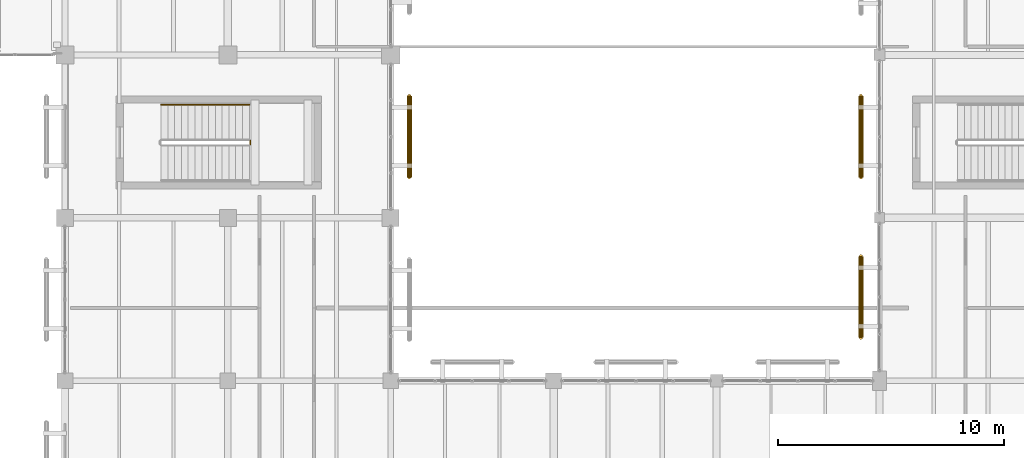
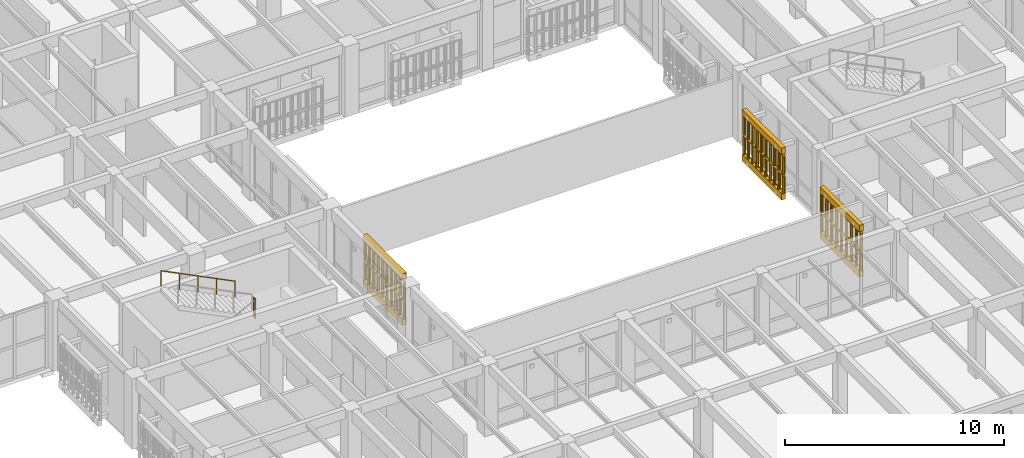
# One storey, part 167 of 170: 8 railings, 6 coverings.
"""IFC4 building model written with IfcOpenShell, lengths in metres."""

import ifcopenshell
import ifcopenshell.guid

model = None  # the IFC model being written
_history = None  # IfcOwnerHistory: only IFC2X3 demands one
_inside = {}  # id of a spatial element -> (the spatial element, [elements in it])
_under = {}  # id of a project, library or spatial element -> (it, [spatial elements below it])
_declared = {}  # id of a project -> (the project, [libraries it declares])
_typed = {}  # id of a type object -> (the type object, [elements of that type])
_made_of = {}  # id of a material, layer set ... -> (it, [elements and type objects made of it])


def new_model(schema):
    """Start an empty IFC model of exactly this schema.

    Asked for "IFC4X3", IfcOpenShell would pick the latest addendum, in which some entities
    have other attributes; the version numbers below select the first issue.
    IFC2X3 requires an IfcOwnerHistory on every rooted entity: one is made here for all.
    """
    global model, _history
    if schema == "IFC4X3":
        model = ifcopenshell.file(schema_version=(4, 3, 0, 0))
    else:
        model = ifcopenshell.file(schema=schema)
    _inside.clear()
    _under.clear()
    _declared.clear()
    _typed.clear()
    _made_of.clear()
    _history = None
    if model.schema == "IFC2X3":
        org = make("IfcOrganization", Name="unknown")
        user = make(
            "IfcPersonAndOrganization",
            ThePerson=make("IfcPerson", FamilyName="unknown"),
            TheOrganization=org,
        )
        app = make(
            "IfcApplication",
            ApplicationDeveloper=org,
            Version="unknown",
            ApplicationFullName="unknown",
            ApplicationIdentifier="unknown",
        )
        _history = make(
            "IfcOwnerHistory",
            OwningUser=user,
            OwningApplication=app,
            ChangeAction="ADDED",
            CreationDate=0,
        )
    return model


def make(cls, **values):
    """One entity of the class cls with the attributes given. An attribute that is None is left unset."""
    return model.create_entity(
        cls, **{name: value for name, value in values.items() if value is not None}
    )


def rooted(cls, **values):
    """An entity with a GlobalId (a new one), such as an element, a storey or a relation."""
    return make(cls, GlobalId=ifcopenshell.guid.new(), OwnerHistory=_history, **values)


def si_unit(unit_type, name, prefix=None):
    """IfcSIUnit, for example si_unit("LENGTHUNIT", "METRE", prefix="MILLI")."""
    return make("IfcSIUnit", UnitType=unit_type, Prefix=prefix, Name=name)


def assignment(units):
    """IfcUnitAssignment: the units of a project."""
    return None if units is None else make("IfcUnitAssignment", Units=units)


def point(xyz):
    """IfcCartesianPoint."""
    return None if xyz is None else make("IfcCartesianPoint", Coordinates=xyz)


def direction(xyz):
    """IfcDirection."""
    return None if xyz is None else make("IfcDirection", DirectionRatios=xyz)


def frame(location, z_axis=None, x_axis=None):
    """IfcAxis2Placement3D, a coordinate frame: its origin and axes. An axis left out is left unset."""
    return make(
        "IfcAxis2Placement3D",
        Location=point(location),
        Axis=direction(z_axis),
        RefDirection=direction(x_axis),
    )


def frame_2d(location, x_axis=None):
    """IfcAxis2Placement2D, a coordinate frame in the plane: its origin and x axis."""
    return make(
        "IfcAxis2Placement2D", Location=point(location), RefDirection=direction(x_axis)
    )


def origin():
    """The frame at (0, 0, 0) with its axes left unset."""
    return frame((0.0, 0.0, 0.0))


def origin_2d():
    """The frame at (0, 0) in the plane with its x axis left unset."""
    return frame_2d((0.0, 0.0))


def place(relative_to, where):
    """IfcLocalPlacement: puts the frame where relative to a parent placement (None: the world)."""
    return make(
        "IfcLocalPlacement", PlacementRelTo=relative_to, RelativePlacement=where
    )


def context(
    kind, dimensions, precision=None, world=None, true_north=None, identifier=None
):
    """IfcGeometricRepresentationContext, for example the 3D "Model" context."""
    return make(
        "IfcGeometricRepresentationContext",
        ContextIdentifier=identifier,
        ContextType=kind,
        CoordinateSpaceDimension=dimensions,
        Precision=precision,
        WorldCoordinateSystem=world,
        TrueNorth=true_north,
    )


def subcontext(parent, identifier, kind, view, scale=None):
    """IfcGeometricRepresentationSubContext, for example "Body" below "Model"."""
    return make(
        "IfcGeometricRepresentationSubContext",
        ContextIdentifier=identifier,
        ContextType=kind,
        ParentContext=parent,
        TargetScale=scale,
        TargetView=view,
    )


def project(units=None, contexts=None):
    """IfcProject with its units and contexts."""
    return rooted(
        "IfcProject",
        Name="project",
        RepresentationContexts=contexts,
        UnitsInContext=assignment(units),
    )


def spatial(cls, under=None, at=None, **own):
    """A site, building, storey or space (cls), placed at a placement, below another one or the project."""
    s = rooted(cls, ObjectPlacement=at, **own)
    if under is not None:
        _under.setdefault(under.id(), (under, []))[1].append(s)
    return s


def polyline(points):
    """IfcPolyline through the points."""
    return make("IfcPolyline", Points=[point(p) for p in points])


def profile(cls, at=None, kind="AREA", **sizes):
    """A parametric profile (cls). Its sizes go by their IFC names, for example OverallWidth=200.0."""
    return make(cls, ProfileType=kind, Position=at, **sizes)


def circle(**sizes):
    """IfcCircleProfileDef."""
    return profile("IfcCircleProfileDef", **sizes)


def outline(outer, holes=None, kind="AREA"):
    """IfcArbitraryClosedProfileDef: a profile drawn as a closed curve; with holes, ...WithVoids."""
    if holes is None:
        return make("IfcArbitraryClosedProfileDef", ProfileType=kind, OuterCurve=outer)
    return make(
        "IfcArbitraryProfileDefWithVoids",
        ProfileType=kind,
        OuterCurve=outer,
        InnerCurves=holes,
    )


def extrude(swept, where, along, depth):
    """IfcExtrudedAreaSolid: the profile swept, set in the frame where, extruded along a direction by depth."""
    return make(
        "IfcExtrudedAreaSolid",
        SweptArea=swept,
        Position=where,
        ExtrudedDirection=direction(along),
        Depth=depth,
    )


def shape(context_of_items, identifier, shape_type, items):
    """IfcShapeRepresentation: the items that make up one representation, for example the "Body"."""
    return make(
        "IfcShapeRepresentation",
        ContextOfItems=context_of_items,
        RepresentationIdentifier=identifier,
        RepresentationType=shape_type,
        Items=items,
    )


def material(Name=None, Category=None):
    """IfcMaterial."""
    return make("IfcMaterial", Name=Name, Category=Category)


def layer(
    of_material, thickness, ventilated=None, Name=None, Category=None, Priority=None
):
    """IfcMaterialLayer: one layer of a wall or slab, of a material (None: an air gap)."""
    return make(
        "IfcMaterialLayer",
        Material=of_material,
        LayerThickness=thickness,
        IsVentilated=ventilated,
        Name=Name,
        Category=Category,
        Priority=Priority,
    )


def layer_set(layers, Name=None):
    """IfcMaterialLayerSet."""
    return make("IfcMaterialLayerSet", MaterialLayers=layers, LayerSetName=Name)


def made_of(thing, what):
    """Note that an element or type object is made of a material, layer set ...; save() writes the relation."""
    if what is not None:
        _made_of.setdefault(what.id(), (what, []))[1].append(thing)
    return thing


def type_object(cls, material=None, **own):
    """A type object (cls), such as IfcWallType, which elements share."""
    return made_of(rooted(cls, **own), material)


def element(
    cls,
    number,
    at=None,
    inside=None,
    cuts=None,
    type_object=None,
    material=None,
    context=None,
    identifier="Body",
    shape_type=None,
    held_by="IfcProductDefinitionShape",
    body=None,
    shapes=None,
    **own,
):
    """One element of the class cls, such as IfcWall. Its Tag is "e" and its number.

    at: its placement. inside: the storey or other place that contains it. cuts: it is an
    opening in that element (IfcRelVoidsElement). A single representation is given by context,
    identifier, shape_type and body (its items); several are given by shapes. held_by: the class
    of the entity that holds the representations. save() writes the other relations.
    """
    e = rooted(cls, Tag="e%d" % number, ObjectPlacement=at, **own)
    if body is not None:
        shapes = [shape(context, identifier, shape_type, body)]
    if shapes is not None:
        e.Representation = make(held_by, Representations=shapes)
    if inside is not None:
        _inside.setdefault(inside.id(), (inside, []))[1].append(e)
    if cuts is not None:
        rooted(
            "IfcRelVoidsElement", RelatingBuildingElement=cuts, RelatedOpeningElement=e
        )
    if type_object is not None:
        _typed.setdefault(type_object.id(), (type_object, []))[1].append(e)
    return made_of(e, material)


def aggregate(whole, parts):
    """IfcRelAggregates: a whole, such as a stair, and the parts it consists of."""
    return rooted("IfcRelAggregates", RelatingObject=whole, RelatedObjects=parts)


def save(model, path):
    """Write the relations noted so far, then the file.

    IfcRelAggregates (storeys below a building ...), IfcRelContainedInSpatialStructure (elements
    in a storey), IfcRelDefinesByType, IfcRelAssociatesMaterial and IfcRelDeclares: one each for
    every whole, place, type object, material and project.
    """
    for whole, parts in _under.values():
        aggregate(whole, parts)
    for where, things in _inside.values():
        rooted(
            "IfcRelContainedInSpatialStructure",
            RelatedElements=things,
            RelatingStructure=where,
        )
    for kind, things in _typed.values():
        rooted("IfcRelDefinesByType", RelatedObjects=things, RelatingType=kind)
    for what, things in _made_of.values():
        rooted("IfcRelAssociatesMaterial", RelatedObjects=things, RelatingMaterial=what)
    for by, libraries in _declared.values():
        rooted("IfcRelDeclares", RelatingContext=by, RelatedDefinitions=libraries)
    model.write(path)


model = new_model("IFC4")

# Units and contexts
model_context = context("Model", 3, precision=1e-05, world=origin(), true_north=direction((0.0, 1.0)))
body_context = subcontext(model_context, "Body", "Model", "MODEL_VIEW")
ifc_project = project(units=[si_unit("LENGTHUNIT", "METRE"), si_unit("AREAUNIT", "SQUARE_METRE"), si_unit("VOLUMEUNIT", "CUBIC_METRE"), si_unit("PLANEANGLEUNIT", "RADIAN"), si_unit("MASSUNIT", "GRAM", prefix="KILO")], contexts=[model_context])

# Site, building, storey
site_placement = place(None, origin())
site = spatial("IfcSite", under=ifc_project, at=site_placement, CompositionType="ELEMENT")
building_placement = place(site_placement, origin())
building = spatial("IfcBuilding", under=site, at=building_placement, Name="Mazaris Harbour Polytechnic", CompositionType="ELEMENT")
storey_placement = place(building_placement, frame((0.0, 0.0, 5.39990234375)))
storey = spatial("IfcBuildingStorey", under=building, at=storey_placement, Name="L01", CompositionType="ELEMENT", Elevation=5.39990234375)

# Railings
ifc_material_1 = material(Name="Perforated Earth-Coloured Terracotta Block", Category="masonry")
railing_type_1 = type_object("IfcRailingType", Name="Perforated Earth-Block Claustra Lattice 1040", PredefinedType="BALUSTRADE", material=ifc_material_1)
for number, where, name in (
    (1, (137.6201171875, 70.1875, 0.52001953125), "V5 L01 Lower Perforated Terracotta Block Screen 401"),
    (2, (137.6201171875, 70.1875, 1.610107421875), "V5 L01 Upper Perforated Terracotta Block Screen 401"),
):
    element("IfcRailing", number, at=place(storey_placement, frame(where)), inside=storey, type_object=railing_type_1, Name=name, PredefinedType="BALUSTRADE", context=body_context, shape_type="SweptSolid", body=[
        extrude(circle(Radius=0.06982421875, at=origin_2d()), frame((0.0, 0.0, 1.02001953125), z_axis=(0.0, 1.0, 0.0), x_axis=(-1.0, 0.0, 0.0)), (0.0, 0.0, 1.0), 3.60009765625),
        extrude(circle(Radius=0.074951171875, at=origin_2d()), origin(), (0.0, 0.0, 1.0), 0.9501953125),
        extrude(circle(Radius=0.074951171875, at=origin_2d()), frame((0.0, 0.39990234375, 0.0)), (0.0, 0.0, 1.0), 0.9501953125),
        extrude(circle(Radius=0.074951171875, at=origin_2d()), frame((0.0, 0.800048828125, 0.0)), (0.0, 0.0, 1.0), 0.9501953125),
        extrude(circle(Radius=0.074951171875, at=origin_2d()), frame((0.0, 1.199951171875, 0.0)), (0.0, 0.0, 1.0), 0.9501953125),
        extrude(circle(Radius=0.074951171875, at=origin_2d()), frame((0.0, 1.60009765625, 0.0)), (0.0, 0.0, 1.0), 0.9501953125),
        extrude(circle(Radius=0.074951171875, at=origin_2d()), frame((0.0, 2.0, 0.0)), (0.0, 0.0, 1.0), 0.9501953125),
        extrude(circle(Radius=0.074951171875, at=origin_2d()), frame((0.0, 2.400146484375, 0.0)), (0.0, 0.0, 1.0), 0.9501953125),
        extrude(circle(Radius=0.074951171875, at=origin_2d()), frame((0.0, 2.800048828125, 0.0)), (0.0, 0.0, 1.0), 0.9501953125),
        extrude(circle(Radius=0.074951171875, at=origin_2d()), frame((0.0, 3.2001953125, 0.0)), (0.0, 0.0, 1.0), 0.9501953125),
        extrude(circle(Radius=0.074951171875, at=origin_2d()), frame((0.0, 3.60009765625, 0.0)), (0.0, 0.0, 1.0), 0.9501953125),
    ])
for number, where, name in (
    (3, (157.580078125, 66.699951171875, 0.52001953125), "V5 L01 Lower Perforated Terracotta Block Screen 403"),
    (4, (157.580078125, 66.699951171875, 1.610107421875), "V5 L01 Upper Perforated Terracotta Block Screen 403"),
):
    element("IfcRailing", number, at=place(storey_placement, frame(where)), inside=storey, type_object=railing_type_1, Name=name, PredefinedType="BALUSTRADE", context=body_context, shape_type="SweptSolid", body=[
        extrude(circle(Radius=0.06982421875, at=origin_2d()), frame((0.0, 0.0, 1.02001953125), z_axis=(0.0, -1.0, 0.0), x_axis=(1.0, 0.0, 0.0)), (0.0, 0.0, 1.0), 3.599853515625),
        extrude(circle(Radius=0.074951171875, at=origin_2d()), origin(), (0.0, 0.0, 1.0), 0.9501953125),
        extrude(circle(Radius=0.074951171875, at=origin_2d()), frame((0.0, -0.449951171875, 0.0)), (0.0, 0.0, 1.0), 0.9501953125),
        extrude(circle(Radius=0.074951171875, at=origin_2d()), frame((0.0, -0.89990234375, 0.0)), (0.0, 0.0, 1.0), 0.9501953125),
        extrude(circle(Radius=0.074951171875, at=origin_2d()), frame((0.0, -1.349853515625, 0.0)), (0.0, 0.0, 1.0), 0.9501953125),
        extrude(circle(Radius=0.074951171875, at=origin_2d()), frame((0.0, -1.7998046875, 0.0)), (0.0, 0.0, 1.0), 0.9501953125),
        extrude(circle(Radius=0.074951171875, at=origin_2d()), frame((0.0, -2.25, 0.0)), (0.0, 0.0, 1.0), 0.9501953125),
        extrude(circle(Radius=0.074951171875, at=origin_2d()), frame((0.0, -2.699951171875, 0.0)), (0.0, 0.0, 1.0), 0.9501953125),
        extrude(circle(Radius=0.074951171875, at=origin_2d()), frame((0.0, -3.14990234375, 0.0)), (0.0, 0.0, 1.0), 0.9501953125),
        extrude(circle(Radius=0.074951171875, at=origin_2d()), frame((0.0, -3.599853515625, 0.0)), (0.0, 0.0, 1.0), 0.9501953125),
    ])
for number, where, name in (
    (5, (157.580078125, 73.78759765625, 0.52001953125), "V5 L01 Lower Perforated Terracotta Block Screen 404"),
    (6, (157.580078125, 73.78759765625, 1.610107421875), "V5 L01 Upper Perforated Terracotta Block Screen 404"),
):
    element("IfcRailing", number, at=place(storey_placement, frame(where)), inside=storey, type_object=railing_type_1, Name=name, PredefinedType="BALUSTRADE", context=body_context, shape_type="SweptSolid", body=[
        extrude(circle(Radius=0.06982421875, at=origin_2d()), frame((0.0, 0.0, 1.02001953125), z_axis=(0.0, -1.0, 0.0), x_axis=(1.0, 0.0, 0.0)), (0.0, 0.0, 1.0), 3.60009765625),
        extrude(circle(Radius=0.074951171875, at=origin_2d()), origin(), (0.0, 0.0, 1.0), 0.9501953125),
        extrude(circle(Radius=0.074951171875, at=origin_2d()), frame((0.0, -0.39990234375, 0.0)), (0.0, 0.0, 1.0), 0.9501953125),
        extrude(circle(Radius=0.074951171875, at=origin_2d()), frame((0.0, -0.800048828125, 0.0)), (0.0, 0.0, 1.0), 0.9501953125),
        extrude(circle(Radius=0.074951171875, at=origin_2d()), frame((0.0, -1.199951171875, 0.0)), (0.0, 0.0, 1.0), 0.9501953125),
        extrude(circle(Radius=0.074951171875, at=origin_2d()), frame((0.0, -1.60009765625, 0.0)), (0.0, 0.0, 1.0), 0.9501953125),
        extrude(circle(Radius=0.074951171875, at=origin_2d()), frame((0.0, -2.0, 0.0)), (0.0, 0.0, 1.0), 0.9501953125),
        extrude(circle(Radius=0.074951171875, at=origin_2d()), frame((0.0, -2.400146484375, 0.0)), (0.0, 0.0, 1.0), 0.9501953125),
        extrude(circle(Radius=0.074951171875, at=origin_2d()), frame((0.0, -2.800048828125, 0.0)), (0.0, 0.0, 1.0), 0.9501953125),
        extrude(circle(Radius=0.074951171875, at=origin_2d()), frame((0.0, -3.2001953125, 0.0)), (0.0, 0.0, 1.0), 0.9501953125),
        extrude(circle(Radius=0.074951171875, at=origin_2d()), frame((0.0, -3.60009765625, 0.0)), (0.0, 0.0, 1.0), 0.9501953125),
    ])
ifc_material_2 = material(Name="Stainless Steel S355", Category="steel")
railing_type_2 = type_object("IfcRailingType", Name="Stair Wall Handrail 900", PredefinedType="HANDRAIL", material=ifc_material_2)
railing_1_placement = place(storey_placement, frame((130.550048828125, 73.39990234375, 2.25)))
element("IfcRailing", 7, at=railing_1_placement, inside=storey, type_object=railing_type_2, Name="L01 ST09 stair handrail 2", PredefinedType="HANDRAIL", context=body_context, shape_type="SweptSolid", body=[
    extrude(circle(Radius=0.02392578125, at=origin_2d()), frame((0.0, 0.0, 0.8759765625), z_axis=(-0.894415993023, 0.0, 0.447235990752), x_axis=(0.0, -1.0, 0.0)), (0.0, 0.0, 1.0), 4.360595703125),
    extrude(circle(Radius=0.02099609375, at=origin_2d()), origin(), (0.0, 0.0, 1.0), 0.851806640625),
    extrude(circle(Radius=0.02099609375, at=origin_2d()), frame((-0.97509765625, 0.0, 0.487548828125)), (0.0, 0.0, 1.0), 0.851806640625),
    extrude(circle(Radius=0.02099609375, at=origin_2d()), frame((-1.9501953125, 0.0, 0.97509765625)), (0.0, 0.0, 1.0), 0.851806640625),
    extrude(circle(Radius=0.02099609375, at=origin_2d()), frame((-2.925048828125, 0.0, 1.462646484375)), (0.0, 0.0, 1.0), 0.851806640625),
    extrude(circle(Radius=0.02099609375, at=origin_2d()), frame((-3.900146484375, 0.0, 1.9501953125)), (0.0, 0.0, 1.0), 0.851806640625),
])
ifc_material_3 = material(Name="Steel S355", Category="steel")
railing_type_3 = type_object("IfcRailingType", Name="Stair Well Guardrail 1100", PredefinedType="GUARDRAIL", material=ifc_material_3)
railing_2_placement = place(storey_placement, frame((130.60009765625, 71.64990234375, 2.10009765625)))
element("IfcRailing", 8, at=railing_2_placement, inside=storey, type_object=railing_type_3, Name="L01 ST09 stair guard 2", PredefinedType="GUARDRAIL", context=body_context, shape_type="SweptSolid", body=[
    extrude(circle(Radius=0.02392578125, at=origin_2d()), frame((0.0, 0.0, 1.076171875), z_axis=(0.0, 1.0, 0.0), x_axis=(-1.0, 0.0, 0.0)), (0.0, 0.0, 1.0), 0.150146484375),
    extrude(circle(Radius=0.02099609375, at=origin_2d()), origin(), (0.0, 0.0, 1.0), 1.052001953125),
    extrude(circle(Radius=0.02099609375, at=origin_2d()), frame((0.0, 0.150146484375, 0.0)), (0.0, 0.0, 1.0), 1.052001953125),
])

# Coverings
ifc_material_4 = material(Name="Perforated Earth-Coloured Terracotta Block", Category="masonry")
ifc_layer = layer(ifc_material_4, 0.219970703125, Name="Perforated Earth-Coloured Terracotta Block")
ifc_layer_set = layer_set([ifc_layer], Name="Perforated Earth-Coloured Terracotta Block")
covering_type = type_object("IfcCoveringType", Name="Terracotta Screen Course Cladding 220", PredefinedType="CLADDING", material=ifc_layer_set)
covering_1_placement = place(storey_placement, frame((0.0, 0.0, 0.16015625)))
element("IfcCovering", 9, at=covering_1_placement, inside=storey, type_object=covering_type, Name="V5 L01 Perforated Screen Sill Course 401", PredefinedType="CLADDING", context=body_context, shape_type="SweptSolid", body=[
    extrude(outline(polyline([(137.510009765625, 70.1875), (137.510009765625, 73.78759765625), (137.72998046875, 73.78759765625), (137.72998046875, 70.1875), (137.510009765625, 70.1875)])), origin(), (0.0, 0.0, 1.0), 0.35986328125),
])
covering_2_placement = place(storey_placement, frame((0.0, 0.0, 2.7001953125)))
element("IfcCovering", 10, at=covering_2_placement, inside=storey, type_object=covering_type, Name="V5 L01 Perforated Screen Lintel Course 401", PredefinedType="CLADDING", context=body_context, shape_type="SweptSolid", body=[
    extrude(outline(polyline([(137.510009765625, 70.1875), (137.510009765625, 73.78759765625), (137.72998046875, 73.78759765625), (137.72998046875, 70.1875), (137.510009765625, 70.1875)])), origin(), (0.0, 0.0, 1.0), 0.33984375),
])
covering_3_placement = place(storey_placement, frame((0.0, 0.0, 0.16015625)))
element("IfcCovering", 11, at=covering_3_placement, inside=storey, type_object=covering_type, Name="V5 L01 Perforated Screen Sill Course 403", PredefinedType="CLADDING", context=body_context, shape_type="SweptSolid", body=[
    extrude(outline(polyline([(157.68994140625, 66.699951171875), (157.68994140625, 63.10009765625), (157.469970703125, 63.10009765625), (157.469970703125, 66.699951171875), (157.68994140625, 66.699951171875)])), origin(), (0.0, 0.0, 1.0), 0.35986328125),
])
covering_4_placement = place(storey_placement, frame((0.0, 0.0, 2.7001953125)))
element("IfcCovering", 12, at=covering_4_placement, inside=storey, type_object=covering_type, Name="V5 L01 Perforated Screen Lintel Course 403", PredefinedType="CLADDING", context=body_context, shape_type="SweptSolid", body=[
    extrude(outline(polyline([(157.68994140625, 66.699951171875), (157.68994140625, 63.10009765625), (157.469970703125, 63.10009765625), (157.469970703125, 66.699951171875), (157.68994140625, 66.699951171875)])), origin(), (0.0, 0.0, 1.0), 0.33984375),
])
covering_5_placement = place(storey_placement, frame((0.0, 0.0, 0.16015625)))
element("IfcCovering", 13, at=covering_5_placement, inside=storey, type_object=covering_type, Name="V5 L01 Perforated Screen Sill Course 404", PredefinedType="CLADDING", context=body_context, shape_type="SweptSolid", body=[
    extrude(outline(polyline([(157.68994140625, 73.78759765625), (157.68994140625, 70.1875), (157.469970703125, 70.1875), (157.469970703125, 73.78759765625), (157.68994140625, 73.78759765625)])), origin(), (0.0, 0.0, 1.0), 0.35986328125),
])
covering_6_placement = place(storey_placement, frame((0.0, 0.0, 2.7001953125)))
element("IfcCovering", 14, at=covering_6_placement, inside=storey, type_object=covering_type, Name="V5 L01 Perforated Screen Lintel Course 404", PredefinedType="CLADDING", context=body_context, shape_type="SweptSolid", body=[
    extrude(outline(polyline([(157.68994140625, 73.78759765625), (157.68994140625, 70.1875), (157.469970703125, 70.1875), (157.469970703125, 73.78759765625), (157.68994140625, 73.78759765625)])), origin(), (0.0, 0.0, 1.0), 0.33984375),
])

save(model, "model.ifc")
